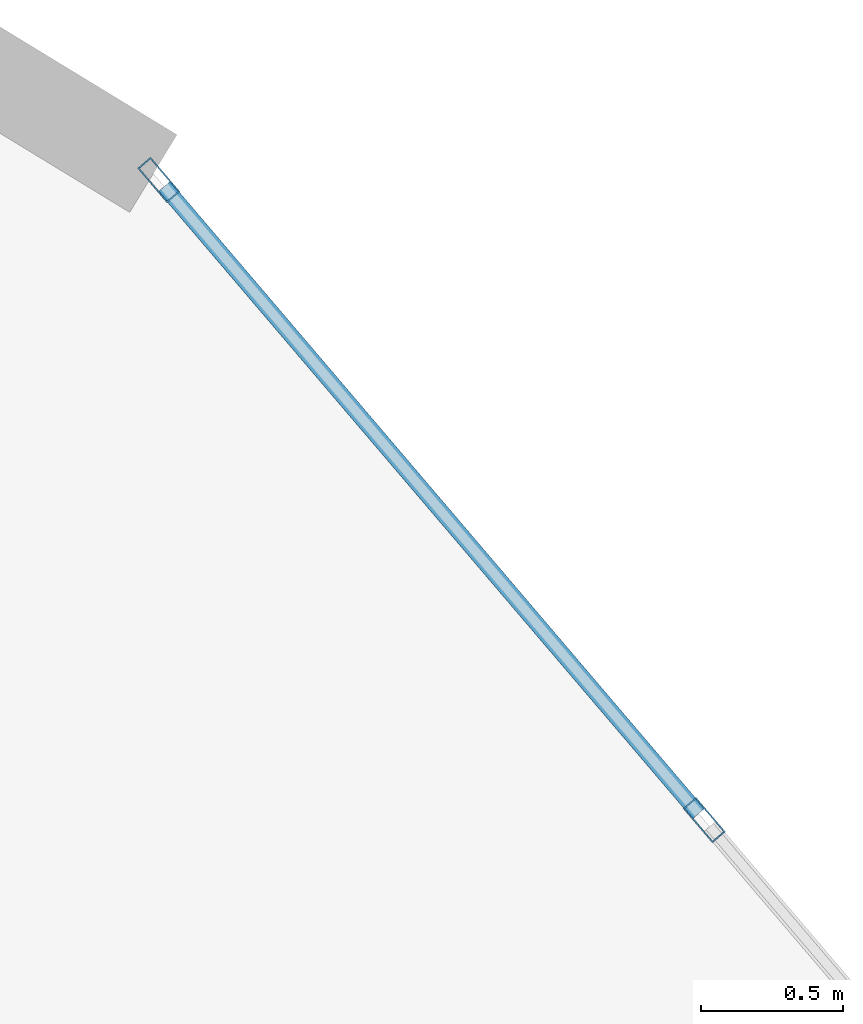
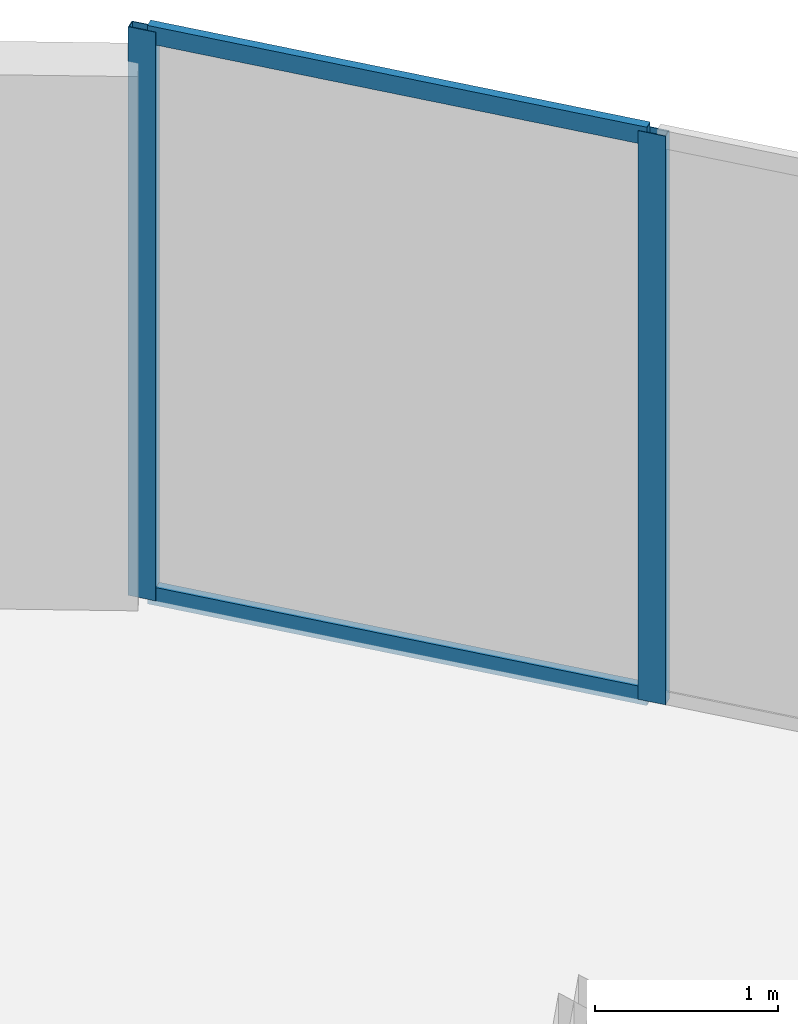
# One storey, part 15 of 22: 4 members, 1 element without a shape of its own.
"""IFC4 building model written with IfcOpenShell, lengths in metres."""

from ifc_helpers import new_model, si_unit, direction, frame, origin, origin_2d, place, context, subcontext, project, spatial, hollow_rectangle, extrude, source, transform, mapped, material, layer, layer_set, material_profile, profile_set, type_object, element, aggregate, save


model = new_model("IFC4")

# Units and contexts
model_context = context("Model", 3, precision=1e-05, world=origin(), true_north=direction((0.0, 1.0)))
body_context = subcontext(model_context, "Body", "Model", "MODEL_VIEW")
ifc_project = project(units=[si_unit("LENGTHUNIT", "METRE"), si_unit("AREAUNIT", "SQUARE_METRE"), si_unit("VOLUMEUNIT", "CUBIC_METRE"), si_unit("PLANEANGLEUNIT", "RADIAN"), si_unit("MASSUNIT", "GRAM", prefix="KILO")], contexts=[model_context])

# Site, building, storey
site_placement = place(None, origin())
site = spatial("IfcSite", under=ifc_project, at=site_placement, CompositionType="ELEMENT")
building_placement = place(site_placement, origin())
building = spatial("IfcBuilding", under=site, at=building_placement, Name="Solvirekh Grand Hotel", CompositionType="ELEMENT")
storey_placement = place(building_placement, frame((0.0, 0.0, 289.60009765625)))
storey = spatial("IfcBuildingStorey", under=building, at=storey_placement, Name="L75", CompositionType="ELEMENT", Elevation=289.60009765625)

# Curtain wall, members
ifc_material = material(Name="Anodized Bronze Aluminium 6063-T6", Category="aluminium")
ifc_layer = layer(ifc_material, 0.159912109375)
ifc_layer_set = layer_set([ifc_layer], Name="Anodized Bronze Aluminium 6063-T6")
curtain_wall_type = type_object("IfcCurtainWallType", Name="CW_Sys4_HighZoneFlushBronzeCW", PredefinedType="NOTDEFINED", material=ifc_layer_set)
curtain_wall_placement = place(storey_placement, origin())
curtain_wall = element("IfcCurtainWall", 1, at=curtain_wall_placement, inside=storey, type_object=curtain_wall_type, Name="L75 unitised bronze-glass curtain wall CW-L75-C08", PredefinedType="NOTDEFINED")
ifc_material_profile_1 = material_profile(ifc_material, hollow_rectangle(XDim=0.06005859375, YDim=0.159912109375, WallThickness=0.0048828125, at=origin_2d()), Name="ALU RHS 160X60X5")
ifc_profile_set_1 = profile_set([ifc_material_profile_1], Name="Anodized Bronze Aluminium 6063-T6")
member_type_1 = type_object("IfcMemberType", Name="CWMullion_Sys4", PredefinedType="MULLION", material=ifc_profile_set_1)
shared_shape_1 = source(origin(), body_context, "Body", "SweptSolid", [
    extrude(hollow_rectangle(XDim=0.06005859375, YDim=0.159912109375, WallThickness=0.0048828125, at=origin_2d()), origin(), (0.0, 0.0, 1.0), 3.7998046875),
])
member_1_placement = place(storey_placement, frame((12.738525390625, 12.80859375, 0.0), z_axis=(0.0, 0.0, 1.0), x_axis=(-0.76117601134, -0.648545356749, 0.0)))
member_1 = element("IfcMember", 2, at=member_1_placement, type_object=member_type_1, Name="U04 mullion 2", PredefinedType="MULLION", context=body_context, shape_type="MappedRepresentation", body=[
    mapped(shared_shape_1, transform((0.0, 0.0, 0.0), x_axis=(1.0, 0.0, 0.0), y_axis=(0.0, 1.0, 0.0), z_axis=(0.0, 0.0, 1.0), scale=1.0)),
])
member_2_placement = place(storey_placement, frame((10.8173828125, 15.063232421875, 0.0), z_axis=(0.0, 0.0, 1.0), x_axis=(-0.76117601134, -0.648545356749, 0.0)))
member_2 = element("IfcMember", 3, at=member_2_placement, type_object=member_type_1, Name="U04 mullion 3", PredefinedType="MULLION", context=body_context, shape_type="MappedRepresentation", body=[
    mapped(shared_shape_1, transform((0.0, 0.0, 0.0), x_axis=(1.0, 0.0, 0.0), y_axis=(0.0, 1.0, 0.0), z_axis=(0.0, 0.0, 1.0), scale=1.0)),
])
ifc_material_profile_2 = material_profile(ifc_material, hollow_rectangle(XDim=0.054931640625, YDim=0.1201171875, WallThickness=0.00390625, at=origin_2d()), Name="ALU RHS 120X55X4")
ifc_profile_set_2 = profile_set([ifc_material_profile_2], Name="Anodized Bronze Aluminium 6063-T6")
member_type_2 = type_object("IfcMemberType", Name="CWTransom_Sys4", PredefinedType="USERDEFINED", material=ifc_profile_set_2)
shared_shape_2 = source(origin(), body_context, "Body", "SweptSolid", [
    extrude(hollow_rectangle(XDim=0.054931640625, YDim=0.1201171875, WallThickness=0.00390625, at=origin_2d()), origin(), (0.0, 0.0, 1.0), 2.902099609375),
])
member_3_placement = place(storey_placement, frame((12.718994140625, 12.831298828125, 0.02734375), z_axis=(-0.648536870934, 0.761183241433, 0.0), x_axis=(-0.761183241433, -0.648536870934, 0.0)))
member_3 = element("IfcMember", 4, at=member_3_placement, type_object=member_type_2, Name="U04 transom 2.1", ObjectType="TRANSOM", PredefinedType="USERDEFINED", context=body_context, shape_type="MappedRepresentation", body=[
    mapped(shared_shape_2, transform((0.0, 0.0, 0.0), x_axis=(1.0, 0.0, 0.0), y_axis=(0.0, 1.0, 0.0), z_axis=(0.0, 0.0, 1.0), scale=1.0)),
])
member_4_placement = place(storey_placement, frame((12.718994140625, 12.831298828125, 3.7724609375), z_axis=(-0.648536870934, 0.761183241433, 0.0), x_axis=(-0.761183241433, -0.648536870934, 0.0)))
member_4 = element("IfcMember", 5, at=member_4_placement, type_object=member_type_2, Name="U04 transom 2.2", ObjectType="TRANSOM", PredefinedType="USERDEFINED", context=body_context, shape_type="MappedRepresentation", body=[
    mapped(shared_shape_2, transform((0.0, 0.0, 0.0), x_axis=(1.0, 0.0, 0.0), y_axis=(0.0, 1.0, 0.0), z_axis=(0.0, 0.0, 1.0), scale=1.0)),
])
aggregate(curtain_wall, [member_1, member_2, member_3, member_4])

save(model, "model.ifc")
